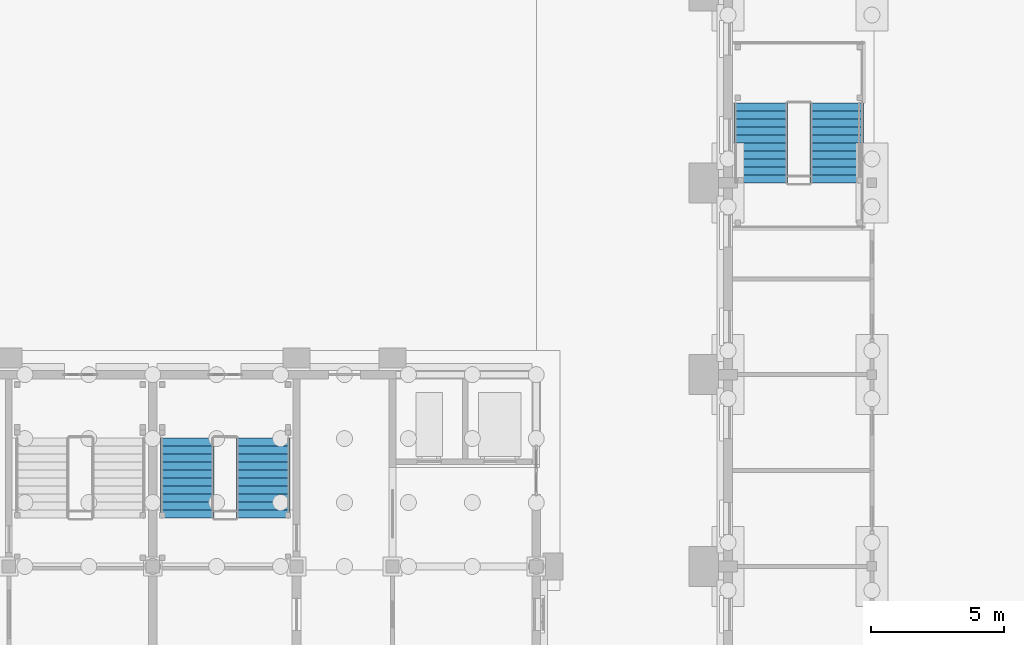
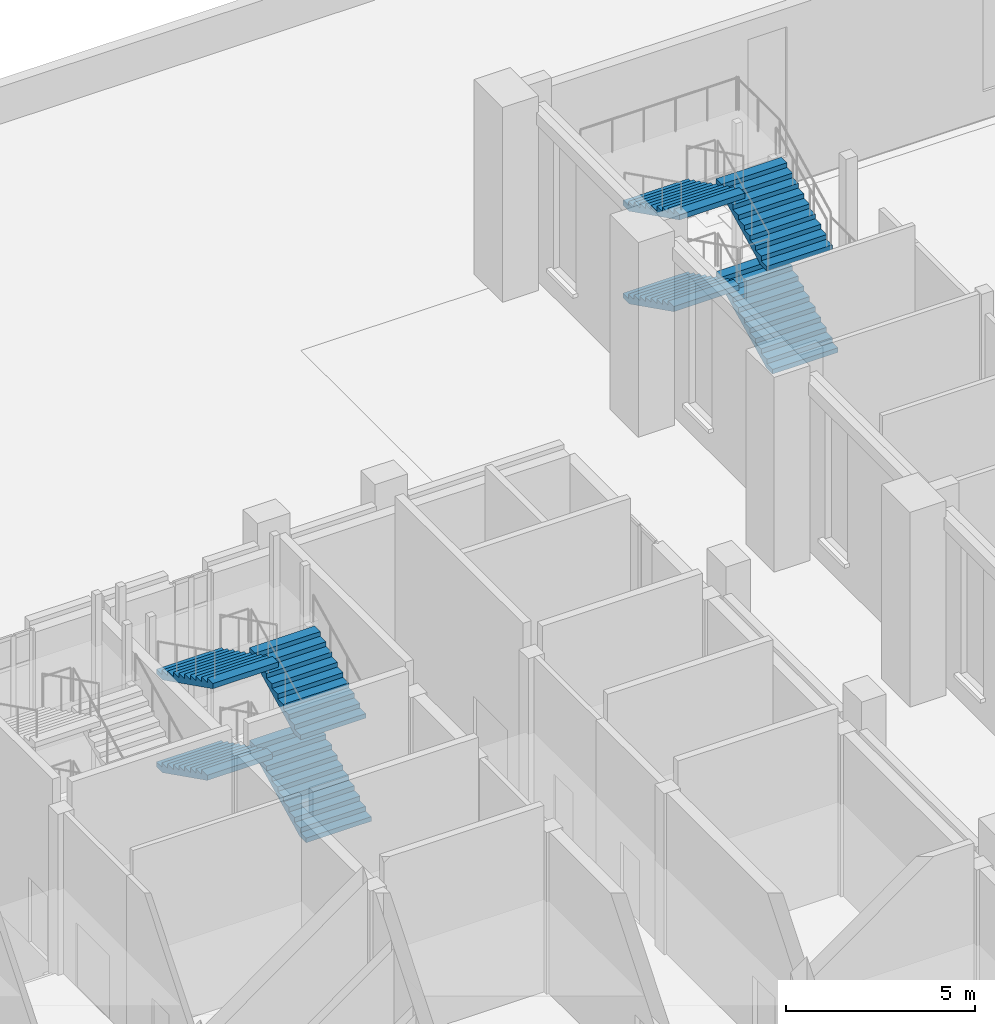
# One storey, part 62 of 84: 8 stair flights, 2 elements without a shape of their own.
"""IFC4 building model written with IfcOpenShell, lengths in metres."""

from ifc_helpers import new_model, si_unit, direction, frame, origin, place, context, subcontext, project, spatial, faceted_brep, material, type_object, element, aggregate, save


model = new_model("IFC4")

# Units and contexts
model_context = context("Model", 3, precision=1e-05, world=origin(), true_north=direction((0.0, 1.0)))
body_context = subcontext(model_context, "Body", "Model", "MODEL_VIEW")
ifc_project = project(units=[si_unit("LENGTHUNIT", "METRE"), si_unit("AREAUNIT", "SQUARE_METRE"), si_unit("VOLUMEUNIT", "CUBIC_METRE"), si_unit("PLANEANGLEUNIT", "RADIAN"), si_unit("MASSUNIT", "GRAM", prefix="KILO")], contexts=[model_context])

# Site, building, storey
site_placement = place(None, origin())
site = spatial("IfcSite", under=ifc_project, at=site_placement, CompositionType="ELEMENT")
building_placement = place(site_placement, origin())
building = spatial("IfcBuilding", under=site, at=building_placement, Name="Mazhai Court Health Centre", CompositionType="ELEMENT")
storey_placement = place(building_placement, origin())
storey = spatial("IfcBuildingStorey", under=building, at=storey_placement, Name="L00", CompositionType="ELEMENT", Elevation=0.0)

# Stair, stair flights
ifc_material_1 = material(Name="Concrete M40", Category="concrete")
stair_type = type_object("IfcStairType", Name="RC STAIR 2000 42R", PredefinedType="DOUBLE_RETURN_STAIR", material=ifc_material_1)
stair_1_placement = place(storey_placement, origin())
stair_1 = element("IfcStair", 1, at=stair_1_placement, inside=storey, type_object=stair_type, Name="L00 Stair 5", PredefinedType="DOUBLE_RETURN_STAIR")
ifc_material_2 = material(Name="Concrete M40", Category="concrete")
stair_flight_type_1 = type_object("IfcStairFlightType", Name="RC STAIR FLIGHT 10R 2000", PredefinedType="STRAIGHT", material=ifc_material_2)
stair_flight_1_placement = place(storey_placement, frame((21.89501953125, 39.824951171875, 1.64990234375), z_axis=(0.0, 0.0, 1.0), x_axis=(0.0, -1.0, 0.0)))
stair_flight_1 = element("IfcStairFlight", 2, at=stair_flight_1_placement, type_object=stair_flight_type_1, Name="ST5 flight 2", NumberOfRisers=10, NumberOfTreads=9, PredefinedType="STRAIGHT", RiserHeight=0.15, TreadLength=0.3, context=body_context, shape_type="Brep", body=[
    faceted_brep([(0.0, 1.0, 0.0), (0.0, 1.0, 0.14990234375), (0.300048828125, 1.0, 0.14990234375), (0.300048828125, 1.0, 0.300048828125), (0.60009765625, 1.0, 0.300048828125), (0.60009765625, 1.0, 0.449951171875), (0.89990234375, 1.0, 0.449951171875), (0.89990234375, 1.0, 0.60009765625), (1.199951171875, 1.0, 0.60009765625), (1.199951171875, 1.0, 0.75), (1.5, 1.0, 0.75), (1.5, 1.0, 0.89990234375), (1.800048828125, 1.0, 0.89990234375), (1.800048828125, 1.0, 1.050048828125), (2.10009765625, 1.0, 1.050048828125), (2.10009765625, 1.0, 1.199951171875), (2.39990234375, 1.0, 1.199951171875), (2.39990234375, 1.0, 1.35009765625), (2.699951171875, 1.0, 1.35009765625), (2.699951171875, 1.0, 1.182373046875), (0.335205078125, 1.0, 0.0), (0.335205078125, -1.0, 0.0), (2.699951171875, -1.0, 1.182373046875), (2.699951171875, -1.0, 1.35009765625), (2.39990234375, -1.0, 1.35009765625), (2.39990234375, -1.0, 1.199951171875), (2.10009765625, -1.0, 1.199951171875), (2.10009765625, -1.0, 1.050048828125), (1.800048828125, -1.0, 1.050048828125), (1.800048828125, -1.0, 0.89990234375), (1.5, -1.0, 0.89990234375), (1.5, -1.0, 0.75), (1.199951171875, -1.0, 0.75), (1.199951171875, -1.0, 0.60009765625), (0.89990234375, -1.0, 0.60009765625), (0.89990234375, -1.0, 0.449951171875), (0.60009765625, -1.0, 0.449951171875), (0.60009765625, -1.0, 0.300048828125), (0.300048828125, -1.0, 0.300048828125), (0.300048828125, -1.0, 0.14990234375), (0.0, -1.0, 0.14990234375), (0.0, -1.0, 0.0), (0.0, 0.0, 0.0), (0.0, 0.0, 0.14990234375), (0.300048828125, 0.0, 0.14990234375), (0.300048828125, 0.0, 0.300048828125), (0.60009765625, 0.0, 0.300048828125), (0.60009765625, 0.0, 0.449951171875), (0.89990234375, 0.0, 0.449951171875), (0.89990234375, 0.0, 0.60009765625), (1.199951171875, 0.0, 0.60009765625), (1.199951171875, 0.0, 0.75), (1.5, 0.0, 0.75), (1.5, 0.0, 0.89990234375), (1.800048828125, 0.0, 0.89990234375), (1.800048828125, 0.0, 1.050048828125), (2.10009765625, 0.0, 1.050048828125), (2.10009765625, 0.0, 1.199951171875), (2.39990234375, 0.0, 1.199951171875), (2.39990234375, 0.0, 1.35009765625), (2.699951171875, 0.0, 1.35009765625), (2.699951171875, 0.0, 1.182373046875), (0.335205078125, 0.0, 0.0)], [[[0, 1, 2, 3, 4, 5, 6, 7, 8, 9, 10, 11, 12, 13, 14, 15, 16, 17, 18, 19, 20]], [[21, 22, 23, 24, 25, 26, 27, 28, 29, 30, 31, 32, 33, 34, 35, 36, 37, 38, 39, 40, 41]], [[42, 43, 1, 0]], [[41, 40, 43, 42]], [[43, 44, 2, 1]], [[40, 39, 44, 43]], [[44, 45, 3, 2]], [[39, 38, 45, 44]], [[45, 46, 4, 3]], [[38, 37, 46, 45]], [[46, 47, 5, 4]], [[37, 36, 47, 46]], [[47, 48, 6, 5]], [[36, 35, 48, 47]], [[48, 49, 7, 6]], [[35, 34, 49, 48]], [[49, 50, 8, 7]], [[34, 33, 50, 49]], [[50, 51, 9, 8]], [[33, 32, 51, 50]], [[51, 52, 10, 9]], [[32, 31, 52, 51]], [[52, 53, 11, 10]], [[31, 30, 53, 52]], [[53, 54, 12, 11]], [[30, 29, 54, 53]], [[54, 55, 13, 12]], [[29, 28, 55, 54]], [[55, 56, 14, 13]], [[28, 27, 56, 55]], [[56, 57, 15, 14]], [[27, 26, 57, 56]], [[57, 58, 16, 15]], [[26, 25, 58, 57]], [[58, 59, 17, 16]], [[25, 24, 59, 58]], [[59, 60, 18, 17]], [[24, 23, 60, 59]], [[60, 61, 19, 18]], [[23, 22, 61, 60]], [[61, 62, 20, 19]], [[22, 21, 62, 61]], [[62, 42, 0, 20]], [[21, 41, 42, 62]]]),
])
stair_flight_2_placement = place(storey_placement, frame((24.7451171875, 37.125, 3.14990234375), z_axis=(0.0, 0.0, 1.0), x_axis=(0.0, 1.0, 0.0)))
stair_flight_2 = element("IfcStairFlight", 3, at=stair_flight_2_placement, type_object=stair_flight_type_1, Name="ST5 flight 3", NumberOfRisers=10, NumberOfTreads=9, PredefinedType="STRAIGHT", RiserHeight=0.15, TreadLength=0.3, context=body_context, shape_type="Brep", body=[
    faceted_brep([(0.0, 1.0, 0.0), (0.0, 1.0, 0.14990234375), (0.300048828125, 1.0, 0.14990234375), (0.300048828125, 1.0, 0.300048828125), (0.60009765625, 1.0, 0.300048828125), (0.60009765625, 1.0, 0.449951171875), (0.89990234375, 1.0, 0.449951171875), (0.89990234375, 1.0, 0.60009765625), (1.199951171875, 1.0, 0.60009765625), (1.199951171875, 1.0, 0.75), (1.5, 1.0, 0.75), (1.5, 1.0, 0.89990234375), (1.800048828125, 1.0, 0.89990234375), (1.800048828125, 1.0, 1.050048828125), (2.10009765625, 1.0, 1.050048828125), (2.10009765625, 1.0, 1.199951171875), (2.39990234375, 1.0, 1.199951171875), (2.39990234375, 1.0, 1.35009765625), (2.699951171875, 1.0, 1.35009765625), (2.699951171875, 1.0, 1.182373046875), (0.335205078125, 1.0, 0.0), (0.335205078125, -1.0, 0.0), (2.699951171875, -1.0, 1.182373046875), (2.699951171875, -1.0, 1.35009765625), (2.39990234375, -1.0, 1.35009765625), (2.39990234375, -1.0, 1.199951171875), (2.10009765625, -1.0, 1.199951171875), (2.10009765625, -1.0, 1.050048828125), (1.800048828125, -1.0, 1.050048828125), (1.800048828125, -1.0, 0.89990234375), (1.5, -1.0, 0.89990234375), (1.5, -1.0, 0.75), (1.199951171875, -1.0, 0.75), (1.199951171875, -1.0, 0.60009765625), (0.89990234375, -1.0, 0.60009765625), (0.89990234375, -1.0, 0.449951171875), (0.60009765625, -1.0, 0.449951171875), (0.60009765625, -1.0, 0.300048828125), (0.300048828125, -1.0, 0.300048828125), (0.300048828125, -1.0, 0.14990234375), (0.0, -1.0, 0.14990234375), (0.0, -1.0, 0.0), (0.0, 0.0, 0.0), (0.0, 0.0, 0.14990234375), (0.300048828125, 0.0, 0.14990234375), (0.300048828125, 0.0, 0.300048828125), (0.60009765625, 0.0, 0.300048828125), (0.60009765625, 0.0, 0.449951171875), (0.89990234375, 0.0, 0.449951171875), (0.89990234375, 0.0, 0.60009765625), (1.199951171875, 0.0, 0.60009765625), (1.199951171875, 0.0, 0.75), (1.5, 0.0, 0.75), (1.5, 0.0, 0.89990234375), (1.800048828125, 0.0, 0.89990234375), (1.800048828125, 0.0, 1.050048828125), (2.10009765625, 0.0, 1.050048828125), (2.10009765625, 0.0, 1.199951171875), (2.39990234375, 0.0, 1.199951171875), (2.39990234375, 0.0, 1.35009765625), (2.699951171875, 0.0, 1.35009765625), (2.699951171875, 0.0, 1.182373046875), (0.335205078125, 0.0, 0.0)], [[[0, 1, 2, 3, 4, 5, 6, 7, 8, 9, 10, 11, 12, 13, 14, 15, 16, 17, 18, 19, 20]], [[21, 22, 23, 24, 25, 26, 27, 28, 29, 30, 31, 32, 33, 34, 35, 36, 37, 38, 39, 40, 41]], [[42, 43, 1, 0]], [[41, 40, 43, 42]], [[43, 44, 2, 1]], [[40, 39, 44, 43]], [[44, 45, 3, 2]], [[39, 38, 45, 44]], [[45, 46, 4, 3]], [[38, 37, 46, 45]], [[46, 47, 5, 4]], [[37, 36, 47, 46]], [[47, 48, 6, 5]], [[36, 35, 48, 47]], [[48, 49, 7, 6]], [[35, 34, 49, 48]], [[49, 50, 8, 7]], [[34, 33, 50, 49]], [[50, 51, 9, 8]], [[33, 32, 51, 50]], [[51, 52, 10, 9]], [[32, 31, 52, 51]], [[52, 53, 11, 10]], [[31, 30, 53, 52]], [[53, 54, 12, 11]], [[30, 29, 54, 53]], [[54, 55, 13, 12]], [[29, 28, 55, 54]], [[55, 56, 14, 13]], [[28, 27, 56, 55]], [[56, 57, 15, 14]], [[27, 26, 57, 56]], [[57, 58, 16, 15]], [[26, 25, 58, 57]], [[58, 59, 17, 16]], [[25, 24, 59, 58]], [[59, 60, 18, 17]], [[24, 23, 60, 59]], [[60, 61, 19, 18]], [[23, 22, 61, 60]], [[61, 62, 20, 19]], [[22, 21, 62, 61]], [[62, 42, 0, 20]], [[21, 41, 42, 62]]]),
])

stair_2_placement = place(storey_placement, origin())
stair_2 = element("IfcStair", 4, at=stair_2_placement, inside=storey, type_object=stair_type, Name="L00 Stair 11", PredefinedType="DOUBLE_RETURN_STAIR")
stair_flight_3_placement = place(storey_placement, frame((43.4326171875, 52.39990234375, 1.64990234375), z_axis=(0.0, 0.0, 1.0), x_axis=(0.0, -1.0, 0.0)))
stair_flight_3 = element("IfcStairFlight", 5, at=stair_flight_3_placement, type_object=stair_flight_type_1, Name="ST11 flight 2", NumberOfRisers=10, NumberOfTreads=9, PredefinedType="STRAIGHT", RiserHeight=0.15, TreadLength=0.3, context=body_context, shape_type="Brep", body=[
    faceted_brep([(0.0, 1.0, 0.0), (0.0, 1.0, 0.14990234375), (0.300048828125, 1.0, 0.14990234375), (0.300048828125, 1.0, 0.300048828125), (0.60009765625, 1.0, 0.300048828125), (0.60009765625, 1.0, 0.449951171875), (0.89990234375, 1.0, 0.449951171875), (0.89990234375, 1.0, 0.60009765625), (1.199951171875, 1.0, 0.60009765625), (1.199951171875, 1.0, 0.75), (1.5, 1.0, 0.75), (1.5, 1.0, 0.89990234375), (1.800048828125, 1.0, 0.89990234375), (1.800048828125, 1.0, 1.050048828125), (2.10009765625, 1.0, 1.050048828125), (2.10009765625, 1.0, 1.199951171875), (2.39990234375, 1.0, 1.199951171875), (2.39990234375, 1.0, 1.35009765625), (2.699951171875, 1.0, 1.35009765625), (2.699951171875, 1.0, 1.182373046875), (0.335205078125, 1.0, 0.0), (0.335205078125, -1.0, 0.0), (2.699951171875, -1.0, 1.182373046875), (2.699951171875, -1.0, 1.35009765625), (2.39990234375, -1.0, 1.35009765625), (2.39990234375, -1.0, 1.199951171875), (2.10009765625, -1.0, 1.199951171875), (2.10009765625, -1.0, 1.050048828125), (1.800048828125, -1.0, 1.050048828125), (1.800048828125, -1.0, 0.89990234375), (1.5, -1.0, 0.89990234375), (1.5, -1.0, 0.75), (1.199951171875, -1.0, 0.75), (1.199951171875, -1.0, 0.60009765625), (0.89990234375, -1.0, 0.60009765625), (0.89990234375, -1.0, 0.449951171875), (0.60009765625, -1.0, 0.449951171875), (0.60009765625, -1.0, 0.300048828125), (0.300048828125, -1.0, 0.300048828125), (0.300048828125, -1.0, 0.14990234375), (0.0, -1.0, 0.14990234375), (0.0, -1.0, 0.0), (0.0, 0.0, 0.0), (0.0, 0.0, 0.14990234375), (0.300048828125, 0.0, 0.14990234375), (0.300048828125, 0.0, 0.300048828125), (0.60009765625, 0.0, 0.300048828125), (0.60009765625, 0.0, 0.449951171875), (0.89990234375, 0.0, 0.449951171875), (0.89990234375, 0.0, 0.60009765625), (1.199951171875, 0.0, 0.60009765625), (1.199951171875, 0.0, 0.75), (1.5, 0.0, 0.75), (1.5, 0.0, 0.89990234375), (1.800048828125, 0.0, 0.89990234375), (1.800048828125, 0.0, 1.050048828125), (2.10009765625, 0.0, 1.050048828125), (2.10009765625, 0.0, 1.199951171875), (2.39990234375, 0.0, 1.199951171875), (2.39990234375, 0.0, 1.35009765625), (2.699951171875, 0.0, 1.35009765625), (2.699951171875, 0.0, 1.182373046875), (0.335205078125, 0.0, 0.0)], [[[0, 1, 2, 3, 4, 5, 6, 7, 8, 9, 10, 11, 12, 13, 14, 15, 16, 17, 18, 19, 20]], [[21, 22, 23, 24, 25, 26, 27, 28, 29, 30, 31, 32, 33, 34, 35, 36, 37, 38, 39, 40, 41]], [[42, 43, 1, 0]], [[41, 40, 43, 42]], [[43, 44, 2, 1]], [[40, 39, 44, 43]], [[44, 45, 3, 2]], [[39, 38, 45, 44]], [[45, 46, 4, 3]], [[38, 37, 46, 45]], [[46, 47, 5, 4]], [[37, 36, 47, 46]], [[47, 48, 6, 5]], [[36, 35, 48, 47]], [[48, 49, 7, 6]], [[35, 34, 49, 48]], [[49, 50, 8, 7]], [[34, 33, 50, 49]], [[50, 51, 9, 8]], [[33, 32, 51, 50]], [[51, 52, 10, 9]], [[32, 31, 52, 51]], [[52, 53, 11, 10]], [[31, 30, 53, 52]], [[53, 54, 12, 11]], [[30, 29, 54, 53]], [[54, 55, 13, 12]], [[29, 28, 55, 54]], [[55, 56, 14, 13]], [[28, 27, 56, 55]], [[56, 57, 15, 14]], [[27, 26, 57, 56]], [[57, 58, 16, 15]], [[26, 25, 58, 57]], [[58, 59, 17, 16]], [[25, 24, 59, 58]], [[59, 60, 18, 17]], [[24, 23, 60, 59]], [[60, 61, 19, 18]], [[23, 22, 61, 60]], [[61, 62, 20, 19]], [[22, 21, 62, 61]], [[62, 42, 0, 20]], [[21, 41, 42, 62]]]),
])
stair_flight_4_placement = place(storey_placement, frame((46.282470703125, 49.699951171875, 3.14990234375), z_axis=(0.0, 0.0, 1.0), x_axis=(0.0, 1.0, 0.0)))
stair_flight_4 = element("IfcStairFlight", 6, at=stair_flight_4_placement, type_object=stair_flight_type_1, Name="ST11 flight 3", NumberOfRisers=10, NumberOfTreads=9, PredefinedType="STRAIGHT", RiserHeight=0.15, TreadLength=0.3, context=body_context, shape_type="Brep", body=[
    faceted_brep([(0.0, 1.0, 0.0), (0.0, 1.0, 0.14990234375), (0.300048828125, 1.0, 0.14990234375), (0.300048828125, 1.0, 0.300048828125), (0.60009765625, 1.0, 0.300048828125), (0.60009765625, 1.0, 0.449951171875), (0.89990234375, 1.0, 0.449951171875), (0.89990234375, 1.0, 0.60009765625), (1.199951171875, 1.0, 0.60009765625), (1.199951171875, 1.0, 0.75), (1.5, 1.0, 0.75), (1.5, 1.0, 0.89990234375), (1.800048828125, 1.0, 0.89990234375), (1.800048828125, 1.0, 1.050048828125), (2.10009765625, 1.0, 1.050048828125), (2.10009765625, 1.0, 1.199951171875), (2.39990234375, 1.0, 1.199951171875), (2.39990234375, 1.0, 1.35009765625), (2.699951171875, 1.0, 1.35009765625), (2.699951171875, 1.0, 1.182373046875), (0.335205078125, 1.0, 0.0), (0.335205078125, -1.0, 0.0), (2.699951171875, -1.0, 1.182373046875), (2.699951171875, -1.0, 1.35009765625), (2.39990234375, -1.0, 1.35009765625), (2.39990234375, -1.0, 1.199951171875), (2.10009765625, -1.0, 1.199951171875), (2.10009765625, -1.0, 1.050048828125), (1.800048828125, -1.0, 1.050048828125), (1.800048828125, -1.0, 0.89990234375), (1.5, -1.0, 0.89990234375), (1.5, -1.0, 0.75), (1.199951171875, -1.0, 0.75), (1.199951171875, -1.0, 0.60009765625), (0.89990234375, -1.0, 0.60009765625), (0.89990234375, -1.0, 0.449951171875), (0.60009765625, -1.0, 0.449951171875), (0.60009765625, -1.0, 0.300048828125), (0.300048828125, -1.0, 0.300048828125), (0.300048828125, -1.0, 0.14990234375), (0.0, -1.0, 0.14990234375), (0.0, -1.0, 0.0), (0.0, 0.0, 0.0), (0.0, 0.0, 0.14990234375), (0.300048828125, 0.0, 0.14990234375), (0.300048828125, 0.0, 0.300048828125), (0.60009765625, 0.0, 0.300048828125), (0.60009765625, 0.0, 0.449951171875), (0.89990234375, 0.0, 0.449951171875), (0.89990234375, 0.0, 0.60009765625), (1.199951171875, 0.0, 0.60009765625), (1.199951171875, 0.0, 0.75), (1.5, 0.0, 0.75), (1.5, 0.0, 0.89990234375), (1.800048828125, 0.0, 0.89990234375), (1.800048828125, 0.0, 1.050048828125), (2.10009765625, 0.0, 1.050048828125), (2.10009765625, 0.0, 1.199951171875), (2.39990234375, 0.0, 1.199951171875), (2.39990234375, 0.0, 1.35009765625), (2.699951171875, 0.0, 1.35009765625), (2.699951171875, 0.0, 1.182373046875), (0.335205078125, 0.0, 0.0)], [[[0, 1, 2, 3, 4, 5, 6, 7, 8, 9, 10, 11, 12, 13, 14, 15, 16, 17, 18, 19, 20]], [[21, 22, 23, 24, 25, 26, 27, 28, 29, 30, 31, 32, 33, 34, 35, 36, 37, 38, 39, 40, 41]], [[42, 43, 1, 0]], [[41, 40, 43, 42]], [[43, 44, 2, 1]], [[40, 39, 44, 43]], [[44, 45, 3, 2]], [[39, 38, 45, 44]], [[45, 46, 4, 3]], [[38, 37, 46, 45]], [[46, 47, 5, 4]], [[37, 36, 47, 46]], [[47, 48, 6, 5]], [[36, 35, 48, 47]], [[48, 49, 7, 6]], [[35, 34, 49, 48]], [[49, 50, 8, 7]], [[34, 33, 50, 49]], [[50, 51, 9, 8]], [[33, 32, 51, 50]], [[51, 52, 10, 9]], [[32, 31, 52, 51]], [[52, 53, 11, 10]], [[31, 30, 53, 52]], [[53, 54, 12, 11]], [[30, 29, 54, 53]], [[54, 55, 13, 12]], [[29, 28, 55, 54]], [[55, 56, 14, 13]], [[28, 27, 56, 55]], [[56, 57, 15, 14]], [[27, 26, 57, 56]], [[57, 58, 16, 15]], [[26, 25, 58, 57]], [[58, 59, 17, 16]], [[25, 24, 59, 58]], [[59, 60, 18, 17]], [[24, 23, 60, 59]], [[60, 61, 19, 18]], [[23, 22, 61, 60]], [[61, 62, 20, 19]], [[22, 21, 62, 61]], [[62, 42, 0, 20]], [[21, 41, 42, 62]]]),
])

# Stair flight
ifc_material_3 = material(Name="Concrete M40", Category="concrete")
stair_flight_type_2 = type_object("IfcStairFlightType", Name="RC STAIR FLIGHT 11R 2000", PredefinedType="STRAIGHT", material=ifc_material_3)
stair_flight_5_placement = place(storey_placement, frame((24.7451171875, 36.824951171875, 0.0), z_axis=(0.0, 0.0, 1.0), x_axis=(0.0, 1.0, 0.0)))
stair_flight_5 = element("IfcStairFlight", 7, at=stair_flight_5_placement, type_object=stair_flight_type_2, Name="ST5 flight 1", NumberOfRisers=11, NumberOfTreads=10, PredefinedType="STRAIGHT", RiserHeight=0.15, TreadLength=0.3, context=body_context, shape_type="Brep", body=[
    faceted_brep([(0.0, 1.0, 0.0), (0.0, 1.0, 0.14990234375), (0.300048828125, 1.0, 0.14990234375), (0.300048828125, 1.0, 0.300048828125), (0.60009765625, 1.0, 0.300048828125), (0.60009765625, 1.0, 0.449951171875), (0.89990234375, 1.0, 0.449951171875), (0.89990234375, 1.0, 0.60009765625), (1.199951171875, 1.0, 0.60009765625), (1.199951171875, 1.0, 0.75), (1.5, 1.0, 0.75), (1.5, 1.0, 0.89990234375), (1.800048828125, 1.0, 0.89990234375), (1.800048828125, 1.0, 1.050048828125), (2.10009765625, 1.0, 1.050048828125), (2.10009765625, 1.0, 1.199951171875), (2.39990234375, 1.0, 1.199951171875), (2.39990234375, 1.0, 1.35009765625), (2.699951171875, 1.0, 1.35009765625), (2.699951171875, 1.0, 1.5), (3.0, 1.0, 1.5), (3.0, 1.0, 1.33251953125), (0.335205078125, 1.0, 0.0), (0.335205078125, -1.0, 0.0), (3.0, -1.0, 1.33251953125), (3.0, -1.0, 1.5), (2.699951171875, -1.0, 1.5), (2.699951171875, -1.0, 1.35009765625), (2.39990234375, -1.0, 1.35009765625), (2.39990234375, -1.0, 1.199951171875), (2.10009765625, -1.0, 1.199951171875), (2.10009765625, -1.0, 1.050048828125), (1.800048828125, -1.0, 1.050048828125), (1.800048828125, -1.0, 0.89990234375), (1.5, -1.0, 0.89990234375), (1.5, -1.0, 0.75), (1.199951171875, -1.0, 0.75), (1.199951171875, -1.0, 0.60009765625), (0.89990234375, -1.0, 0.60009765625), (0.89990234375, -1.0, 0.449951171875), (0.60009765625, -1.0, 0.449951171875), (0.60009765625, -1.0, 0.300048828125), (0.300048828125, -1.0, 0.300048828125), (0.300048828125, -1.0, 0.14990234375), (0.0, -1.0, 0.14990234375), (0.0, -1.0, 0.0), (0.0, 0.0, 0.0), (0.0, 0.0, 0.14990234375), (0.300048828125, 0.0, 0.14990234375), (0.300048828125, 0.0, 0.300048828125), (0.60009765625, 0.0, 0.300048828125), (0.60009765625, 0.0, 0.449951171875), (0.89990234375, 0.0, 0.449951171875), (0.89990234375, 0.0, 0.60009765625), (1.199951171875, 0.0, 0.60009765625), (1.199951171875, 0.0, 0.75), (1.5, 0.0, 0.75), (1.5, 0.0, 0.89990234375), (1.800048828125, 0.0, 0.89990234375), (1.800048828125, 0.0, 1.050048828125), (2.10009765625, 0.0, 1.050048828125), (2.10009765625, 0.0, 1.199951171875), (2.39990234375, 0.0, 1.199951171875), (2.39990234375, 0.0, 1.35009765625), (2.699951171875, 0.0, 1.35009765625), (2.699951171875, 0.0, 1.5), (3.0, 0.0, 1.5), (3.0, 0.0, 1.33251953125), (0.335205078125, 0.0, 0.0)], [[[0, 1, 2, 3, 4, 5, 6, 7, 8, 9, 10, 11, 12, 13, 14, 15, 16, 17, 18, 19, 20, 21, 22]], [[23, 24, 25, 26, 27, 28, 29, 30, 31, 32, 33, 34, 35, 36, 37, 38, 39, 40, 41, 42, 43, 44, 45]], [[46, 47, 1, 0]], [[45, 44, 47, 46]], [[47, 48, 2, 1]], [[44, 43, 48, 47]], [[48, 49, 3, 2]], [[43, 42, 49, 48]], [[49, 50, 4, 3]], [[42, 41, 50, 49]], [[50, 51, 5, 4]], [[41, 40, 51, 50]], [[51, 52, 6, 5]], [[40, 39, 52, 51]], [[52, 53, 7, 6]], [[39, 38, 53, 52]], [[53, 54, 8, 7]], [[38, 37, 54, 53]], [[54, 55, 9, 8]], [[37, 36, 55, 54]], [[55, 56, 10, 9]], [[36, 35, 56, 55]], [[56, 57, 11, 10]], [[35, 34, 57, 56]], [[57, 58, 12, 11]], [[34, 33, 58, 57]], [[58, 59, 13, 12]], [[33, 32, 59, 58]], [[59, 60, 14, 13]], [[32, 31, 60, 59]], [[60, 61, 15, 14]], [[31, 30, 61, 60]], [[61, 62, 16, 15]], [[30, 29, 62, 61]], [[62, 63, 17, 16]], [[29, 28, 63, 62]], [[63, 64, 18, 17]], [[28, 27, 64, 63]], [[64, 65, 19, 18]], [[27, 26, 65, 64]], [[65, 66, 20, 19]], [[26, 25, 66, 65]], [[66, 67, 21, 20]], [[25, 24, 67, 66]], [[67, 68, 22, 21]], [[24, 23, 68, 67]], [[68, 46, 0, 22]], [[23, 45, 46, 68]]]),
])

stair_flight_6_placement = place(storey_placement, frame((21.89501953125, 39.824951171875, 4.64990234375), z_axis=(0.0, 0.0, 1.0), x_axis=(0.0, -1.0, 0.0)))
stair_flight_6 = element("IfcStairFlight", 8, at=stair_flight_6_placement, type_object=stair_flight_type_2, Name="ST5 flight 4", NumberOfRisers=11, NumberOfTreads=10, PredefinedType="STRAIGHT", RiserHeight=0.15, TreadLength=0.3, context=body_context, shape_type="Brep", body=[
    faceted_brep([(0.0, 1.0, 0.0), (0.0, 1.0, 0.14990234375), (0.300048828125, 1.0, 0.14990234375), (0.300048828125, 1.0, 0.300048828125), (0.60009765625, 1.0, 0.300048828125), (0.60009765625, 1.0, 0.449951171875), (0.89990234375, 1.0, 0.449951171875), (0.89990234375, 1.0, 0.60009765625), (1.199951171875, 1.0, 0.60009765625), (1.199951171875, 1.0, 0.75), (1.5, 1.0, 0.75), (1.5, 1.0, 0.89990234375), (1.800048828125, 1.0, 0.89990234375), (1.800048828125, 1.0, 1.050048828125), (2.10009765625, 1.0, 1.050048828125), (2.10009765625, 1.0, 1.199951171875), (2.39990234375, 1.0, 1.199951171875), (2.39990234375, 1.0, 1.35009765625), (2.699951171875, 1.0, 1.35009765625), (2.699951171875, 1.0, 1.5), (3.0, 1.0, 1.5), (3.0, 1.0, 1.33251953125), (0.335205078125, 1.0, 0.0), (0.335205078125, -1.0, 0.0), (3.0, -1.0, 1.33251953125), (3.0, -1.0, 1.5), (2.699951171875, -1.0, 1.5), (2.699951171875, -1.0, 1.35009765625), (2.39990234375, -1.0, 1.35009765625), (2.39990234375, -1.0, 1.199951171875), (2.10009765625, -1.0, 1.199951171875), (2.10009765625, -1.0, 1.050048828125), (1.800048828125, -1.0, 1.050048828125), (1.800048828125, -1.0, 0.89990234375), (1.5, -1.0, 0.89990234375), (1.5, -1.0, 0.75), (1.199951171875, -1.0, 0.75), (1.199951171875, -1.0, 0.60009765625), (0.89990234375, -1.0, 0.60009765625), (0.89990234375, -1.0, 0.449951171875), (0.60009765625, -1.0, 0.449951171875), (0.60009765625, -1.0, 0.300048828125), (0.300048828125, -1.0, 0.300048828125), (0.300048828125, -1.0, 0.14990234375), (0.0, -1.0, 0.14990234375), (0.0, -1.0, 0.0), (0.0, 0.0, 0.0), (0.0, 0.0, 0.14990234375), (0.300048828125, 0.0, 0.14990234375), (0.300048828125, 0.0, 0.300048828125), (0.60009765625, 0.0, 0.300048828125), (0.60009765625, 0.0, 0.449951171875), (0.89990234375, 0.0, 0.449951171875), (0.89990234375, 0.0, 0.60009765625), (1.199951171875, 0.0, 0.60009765625), (1.199951171875, 0.0, 0.75), (1.5, 0.0, 0.75), (1.5, 0.0, 0.89990234375), (1.800048828125, 0.0, 0.89990234375), (1.800048828125, 0.0, 1.050048828125), (2.10009765625, 0.0, 1.050048828125), (2.10009765625, 0.0, 1.199951171875), (2.39990234375, 0.0, 1.199951171875), (2.39990234375, 0.0, 1.35009765625), (2.699951171875, 0.0, 1.35009765625), (2.699951171875, 0.0, 1.5), (3.0, 0.0, 1.5), (3.0, 0.0, 1.33251953125), (0.335205078125, 0.0, 0.0)], [[[0, 1, 2, 3, 4, 5, 6, 7, 8, 9, 10, 11, 12, 13, 14, 15, 16, 17, 18, 19, 20, 21, 22]], [[23, 24, 25, 26, 27, 28, 29, 30, 31, 32, 33, 34, 35, 36, 37, 38, 39, 40, 41, 42, 43, 44, 45]], [[46, 47, 1, 0]], [[45, 44, 47, 46]], [[47, 48, 2, 1]], [[44, 43, 48, 47]], [[48, 49, 3, 2]], [[43, 42, 49, 48]], [[49, 50, 4, 3]], [[42, 41, 50, 49]], [[50, 51, 5, 4]], [[41, 40, 51, 50]], [[51, 52, 6, 5]], [[40, 39, 52, 51]], [[52, 53, 7, 6]], [[39, 38, 53, 52]], [[53, 54, 8, 7]], [[38, 37, 54, 53]], [[54, 55, 9, 8]], [[37, 36, 55, 54]], [[55, 56, 10, 9]], [[36, 35, 56, 55]], [[56, 57, 11, 10]], [[35, 34, 57, 56]], [[57, 58, 12, 11]], [[34, 33, 58, 57]], [[58, 59, 13, 12]], [[33, 32, 59, 58]], [[59, 60, 14, 13]], [[32, 31, 60, 59]], [[60, 61, 15, 14]], [[31, 30, 61, 60]], [[61, 62, 16, 15]], [[30, 29, 62, 61]], [[62, 63, 17, 16]], [[29, 28, 63, 62]], [[63, 64, 18, 17]], [[28, 27, 64, 63]], [[64, 65, 19, 18]], [[27, 26, 65, 64]], [[65, 66, 20, 19]], [[26, 25, 66, 65]], [[66, 67, 21, 20]], [[25, 24, 67, 66]], [[67, 68, 22, 21]], [[24, 23, 68, 67]], [[68, 46, 0, 22]], [[23, 45, 46, 68]]]),
])

aggregate(stair_1, [stair_flight_5, stair_flight_1, stair_flight_2, stair_flight_6])

stair_flight_7_placement = place(storey_placement, frame((46.282470703125, 49.39990234375, 0.0), z_axis=(0.0, 0.0, 1.0), x_axis=(0.0, 1.0, 0.0)))
stair_flight_7 = element("IfcStairFlight", 9, at=stair_flight_7_placement, type_object=stair_flight_type_2, Name="ST11 flight 1", NumberOfRisers=11, NumberOfTreads=10, PredefinedType="STRAIGHT", RiserHeight=0.15, TreadLength=0.3, context=body_context, shape_type="Brep", body=[
    faceted_brep([(0.0, 1.0, 0.0), (0.0, 1.0, 0.14990234375), (0.300048828125, 1.0, 0.14990234375), (0.300048828125, 1.0, 0.300048828125), (0.60009765625, 1.0, 0.300048828125), (0.60009765625, 1.0, 0.449951171875), (0.89990234375, 1.0, 0.449951171875), (0.89990234375, 1.0, 0.60009765625), (1.199951171875, 1.0, 0.60009765625), (1.199951171875, 1.0, 0.75), (1.5, 1.0, 0.75), (1.5, 1.0, 0.89990234375), (1.800048828125, 1.0, 0.89990234375), (1.800048828125, 1.0, 1.050048828125), (2.10009765625, 1.0, 1.050048828125), (2.10009765625, 1.0, 1.199951171875), (2.39990234375, 1.0, 1.199951171875), (2.39990234375, 1.0, 1.35009765625), (2.699951171875, 1.0, 1.35009765625), (2.699951171875, 1.0, 1.5), (3.0, 1.0, 1.5), (3.0, 1.0, 1.33251953125), (0.335205078125, 1.0, 0.0), (0.335205078125, -1.0, 0.0), (3.0, -1.0, 1.33251953125), (3.0, -1.0, 1.5), (2.699951171875, -1.0, 1.5), (2.699951171875, -1.0, 1.35009765625), (2.39990234375, -1.0, 1.35009765625), (2.39990234375, -1.0, 1.199951171875), (2.10009765625, -1.0, 1.199951171875), (2.10009765625, -1.0, 1.050048828125), (1.800048828125, -1.0, 1.050048828125), (1.800048828125, -1.0, 0.89990234375), (1.5, -1.0, 0.89990234375), (1.5, -1.0, 0.75), (1.199951171875, -1.0, 0.75), (1.199951171875, -1.0, 0.60009765625), (0.89990234375, -1.0, 0.60009765625), (0.89990234375, -1.0, 0.449951171875), (0.60009765625, -1.0, 0.449951171875), (0.60009765625, -1.0, 0.300048828125), (0.300048828125, -1.0, 0.300048828125), (0.300048828125, -1.0, 0.14990234375), (0.0, -1.0, 0.14990234375), (0.0, -1.0, 0.0), (0.0, 0.0, 0.0), (0.0, 0.0, 0.14990234375), (0.300048828125, 0.0, 0.14990234375), (0.300048828125, 0.0, 0.300048828125), (0.60009765625, 0.0, 0.300048828125), (0.60009765625, 0.0, 0.449951171875), (0.89990234375, 0.0, 0.449951171875), (0.89990234375, 0.0, 0.60009765625), (1.199951171875, 0.0, 0.60009765625), (1.199951171875, 0.0, 0.75), (1.5, 0.0, 0.75), (1.5, 0.0, 0.89990234375), (1.800048828125, 0.0, 0.89990234375), (1.800048828125, 0.0, 1.050048828125), (2.10009765625, 0.0, 1.050048828125), (2.10009765625, 0.0, 1.199951171875), (2.39990234375, 0.0, 1.199951171875), (2.39990234375, 0.0, 1.35009765625), (2.699951171875, 0.0, 1.35009765625), (2.699951171875, 0.0, 1.5), (3.0, 0.0, 1.5), (3.0, 0.0, 1.33251953125), (0.335205078125, 0.0, 0.0)], [[[0, 1, 2, 3, 4, 5, 6, 7, 8, 9, 10, 11, 12, 13, 14, 15, 16, 17, 18, 19, 20, 21, 22]], [[23, 24, 25, 26, 27, 28, 29, 30, 31, 32, 33, 34, 35, 36, 37, 38, 39, 40, 41, 42, 43, 44, 45]], [[46, 47, 1, 0]], [[45, 44, 47, 46]], [[47, 48, 2, 1]], [[44, 43, 48, 47]], [[48, 49, 3, 2]], [[43, 42, 49, 48]], [[49, 50, 4, 3]], [[42, 41, 50, 49]], [[50, 51, 5, 4]], [[41, 40, 51, 50]], [[51, 52, 6, 5]], [[40, 39, 52, 51]], [[52, 53, 7, 6]], [[39, 38, 53, 52]], [[53, 54, 8, 7]], [[38, 37, 54, 53]], [[54, 55, 9, 8]], [[37, 36, 55, 54]], [[55, 56, 10, 9]], [[36, 35, 56, 55]], [[56, 57, 11, 10]], [[35, 34, 57, 56]], [[57, 58, 12, 11]], [[34, 33, 58, 57]], [[58, 59, 13, 12]], [[33, 32, 59, 58]], [[59, 60, 14, 13]], [[32, 31, 60, 59]], [[60, 61, 15, 14]], [[31, 30, 61, 60]], [[61, 62, 16, 15]], [[30, 29, 62, 61]], [[62, 63, 17, 16]], [[29, 28, 63, 62]], [[63, 64, 18, 17]], [[28, 27, 64, 63]], [[64, 65, 19, 18]], [[27, 26, 65, 64]], [[65, 66, 20, 19]], [[26, 25, 66, 65]], [[66, 67, 21, 20]], [[25, 24, 67, 66]], [[67, 68, 22, 21]], [[24, 23, 68, 67]], [[68, 46, 0, 22]], [[23, 45, 46, 68]]]),
])

stair_flight_8_placement = place(storey_placement, frame((43.4326171875, 52.39990234375, 4.64990234375), z_axis=(0.0, 0.0, 1.0), x_axis=(0.0, -1.0, 0.0)))
stair_flight_8 = element("IfcStairFlight", 10, at=stair_flight_8_placement, type_object=stair_flight_type_2, Name="ST11 flight 4", NumberOfRisers=11, NumberOfTreads=10, PredefinedType="STRAIGHT", RiserHeight=0.15, TreadLength=0.3, context=body_context, shape_type="Brep", body=[
    faceted_brep([(0.0, 1.0, 0.0), (0.0, 1.0, 0.14990234375), (0.300048828125, 1.0, 0.14990234375), (0.300048828125, 1.0, 0.300048828125), (0.60009765625, 1.0, 0.300048828125), (0.60009765625, 1.0, 0.449951171875), (0.89990234375, 1.0, 0.449951171875), (0.89990234375, 1.0, 0.60009765625), (1.199951171875, 1.0, 0.60009765625), (1.199951171875, 1.0, 0.75), (1.5, 1.0, 0.75), (1.5, 1.0, 0.89990234375), (1.800048828125, 1.0, 0.89990234375), (1.800048828125, 1.0, 1.050048828125), (2.10009765625, 1.0, 1.050048828125), (2.10009765625, 1.0, 1.199951171875), (2.39990234375, 1.0, 1.199951171875), (2.39990234375, 1.0, 1.35009765625), (2.699951171875, 1.0, 1.35009765625), (2.699951171875, 1.0, 1.5), (3.0, 1.0, 1.5), (3.0, 1.0, 1.33251953125), (0.335205078125, 1.0, 0.0), (0.335205078125, -1.0, 0.0), (3.0, -1.0, 1.33251953125), (3.0, -1.0, 1.5), (2.699951171875, -1.0, 1.5), (2.699951171875, -1.0, 1.35009765625), (2.39990234375, -1.0, 1.35009765625), (2.39990234375, -1.0, 1.199951171875), (2.10009765625, -1.0, 1.199951171875), (2.10009765625, -1.0, 1.050048828125), (1.800048828125, -1.0, 1.050048828125), (1.800048828125, -1.0, 0.89990234375), (1.5, -1.0, 0.89990234375), (1.5, -1.0, 0.75), (1.199951171875, -1.0, 0.75), (1.199951171875, -1.0, 0.60009765625), (0.89990234375, -1.0, 0.60009765625), (0.89990234375, -1.0, 0.449951171875), (0.60009765625, -1.0, 0.449951171875), (0.60009765625, -1.0, 0.300048828125), (0.300048828125, -1.0, 0.300048828125), (0.300048828125, -1.0, 0.14990234375), (0.0, -1.0, 0.14990234375), (0.0, -1.0, 0.0), (0.0, 0.0, 0.0), (0.0, 0.0, 0.14990234375), (0.300048828125, 0.0, 0.14990234375), (0.300048828125, 0.0, 0.300048828125), (0.60009765625, 0.0, 0.300048828125), (0.60009765625, 0.0, 0.449951171875), (0.89990234375, 0.0, 0.449951171875), (0.89990234375, 0.0, 0.60009765625), (1.199951171875, 0.0, 0.60009765625), (1.199951171875, 0.0, 0.75), (1.5, 0.0, 0.75), (1.5, 0.0, 0.89990234375), (1.800048828125, 0.0, 0.89990234375), (1.800048828125, 0.0, 1.050048828125), (2.10009765625, 0.0, 1.050048828125), (2.10009765625, 0.0, 1.199951171875), (2.39990234375, 0.0, 1.199951171875), (2.39990234375, 0.0, 1.35009765625), (2.699951171875, 0.0, 1.35009765625), (2.699951171875, 0.0, 1.5), (3.0, 0.0, 1.5), (3.0, 0.0, 1.33251953125), (0.335205078125, 0.0, 0.0)], [[[0, 1, 2, 3, 4, 5, 6, 7, 8, 9, 10, 11, 12, 13, 14, 15, 16, 17, 18, 19, 20, 21, 22]], [[23, 24, 25, 26, 27, 28, 29, 30, 31, 32, 33, 34, 35, 36, 37, 38, 39, 40, 41, 42, 43, 44, 45]], [[46, 47, 1, 0]], [[45, 44, 47, 46]], [[47, 48, 2, 1]], [[44, 43, 48, 47]], [[48, 49, 3, 2]], [[43, 42, 49, 48]], [[49, 50, 4, 3]], [[42, 41, 50, 49]], [[50, 51, 5, 4]], [[41, 40, 51, 50]], [[51, 52, 6, 5]], [[40, 39, 52, 51]], [[52, 53, 7, 6]], [[39, 38, 53, 52]], [[53, 54, 8, 7]], [[38, 37, 54, 53]], [[54, 55, 9, 8]], [[37, 36, 55, 54]], [[55, 56, 10, 9]], [[36, 35, 56, 55]], [[56, 57, 11, 10]], [[35, 34, 57, 56]], [[57, 58, 12, 11]], [[34, 33, 58, 57]], [[58, 59, 13, 12]], [[33, 32, 59, 58]], [[59, 60, 14, 13]], [[32, 31, 60, 59]], [[60, 61, 15, 14]], [[31, 30, 61, 60]], [[61, 62, 16, 15]], [[30, 29, 62, 61]], [[62, 63, 17, 16]], [[29, 28, 63, 62]], [[63, 64, 18, 17]], [[28, 27, 64, 63]], [[64, 65, 19, 18]], [[27, 26, 65, 64]], [[65, 66, 20, 19]], [[26, 25, 66, 65]], [[66, 67, 21, 20]], [[25, 24, 67, 66]], [[67, 68, 22, 21]], [[24, 23, 68, 67]], [[68, 46, 0, 22]], [[23, 45, 46, 68]]]),
])

aggregate(stair_2, [stair_flight_7, stair_flight_3, stair_flight_4, stair_flight_8])

save(model, "model.ifc")
